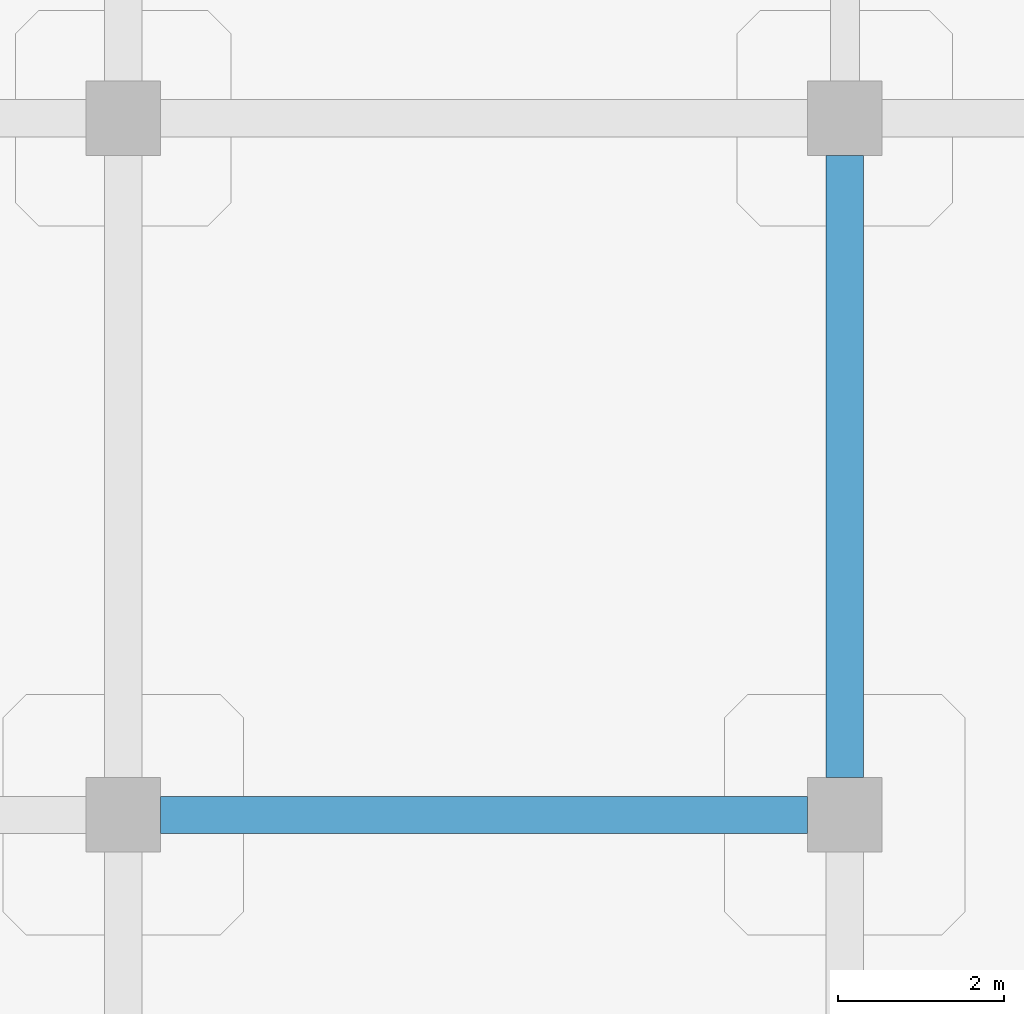
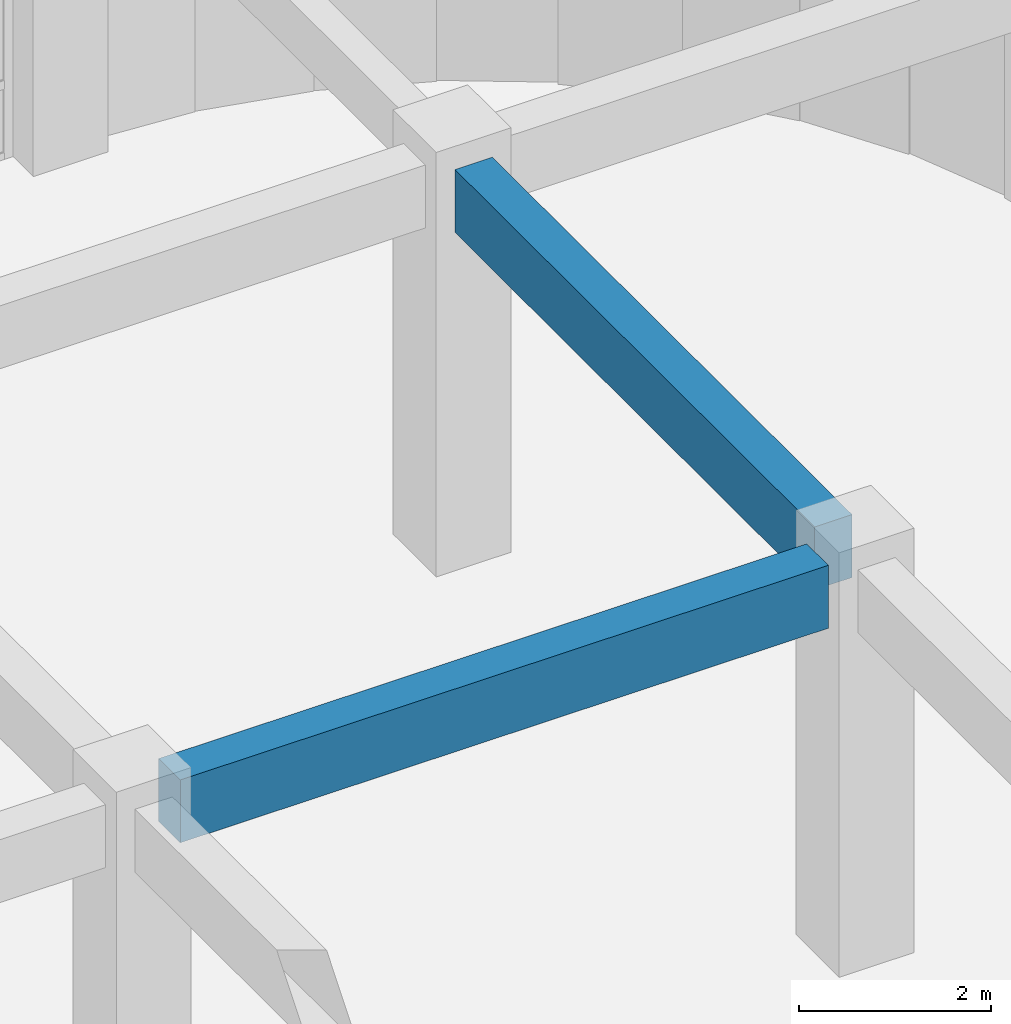
# One storey, part 58 of 114: 2 beams.
"""IFC4 building model written with IfcOpenShell, lengths in metres."""

from ifc_helpers import new_model, si_unit, derived_unit, direction, frame, origin, origin_2d, place, context, subcontext, project, spatial, rectangle, extrude, material, material_profile, profile_set, type_object, element, save


model = new_model("IFC4")

# Units and contexts
model_context = context("Model", 3, precision=1e-05, world=origin(), true_north=direction((0.0, 1.0)))
body_context = subcontext(model_context, "Body", "Model", "MODEL_VIEW")
ifc_project = project(units=[si_unit("LENGTHUNIT", "METRE"), si_unit("AREAUNIT", "SQUARE_METRE"), si_unit("VOLUMEUNIT", "CUBIC_METRE"), si_unit("PLANEANGLEUNIT", "RADIAN"), si_unit("MASSUNIT", "GRAM", prefix="KILO"), derived_unit("THERMALTRANSMITTANCEUNIT", [(si_unit("MASSUNIT", "GRAM", prefix="KILO"), 1), (si_unit("TIMEUNIT", "SECOND"), -3), (si_unit("THERMODYNAMICTEMPERATUREUNIT", "KELVIN"), -1)])], contexts=[model_context])

# Site, building, storey
site_placement = place(None, origin())
site = spatial("IfcSite", under=ifc_project, at=site_placement, CompositionType="ELEMENT")
building_placement = place(site_placement, origin())
building = spatial("IfcBuilding", under=site, at=building_placement, Name="Qinzheling Arcade Emporium", CompositionType="ELEMENT")
storey_placement = place(building_placement, frame((0.0, 0.0, 6.0)))
storey = spatial("IfcBuildingStorey", under=building, at=storey_placement, Name="L02", CompositionType="ELEMENT", Elevation=6.0)

# Beams
ifc_material = material(Name="Concrete C40", Category="concrete")
ifc_material_profile = material_profile(ifc_material, rectangle(XDim=0.449951171875, YDim=0.800048828125, at=origin_2d()), Name="RC 450x800", Category="concrete")
ifc_profile_set = profile_set([ifc_material_profile], Name="Concrete C40")
beam_type = type_object("IfcBeamType", Name="RC Primary Frame Beam 450x800 C40", PredefinedType="BEAM", material=ifc_profile_set)
beam_1_placement = place(storey_placement, frame((157.050048828125, 16.800048828125, 4.705078125), z_axis=(1.0, 0.0, 0.0), x_axis=(0.0, 1.0, 0.0)))
element("IfcBeam", 1, at=beam_1_placement, inside=storey, type_object=beam_type, Name="Beam BM-L02-X-C-19", PredefinedType="BEAM", context=body_context, shape_type="SweptSolid", body=[
    extrude(rectangle(XDim=0.449951171875, YDim=0.800048828125, at=origin_2d()), origin(), (0.0, 0.0, 1.0), 7.800048828125),
])
beam_2_placement = place(storey_placement, frame((165.300048828125, 17.25, 4.705078125), z_axis=(0.0, 1.0, 0.0), x_axis=(-1.0, 0.0, 0.0)))
element("IfcBeam", 2, at=beam_2_placement, inside=storey, type_object=beam_type, Name="Beam BM-L02-Y-20-C", PredefinedType="BEAM", context=body_context, shape_type="SweptSolid", body=[
    extrude(rectangle(XDim=0.449951171875, YDim=0.800048828125, at=origin_2d()), origin(), (0.0, 0.0, 1.0), 7.5),
])

save(model, "model.ifc")
